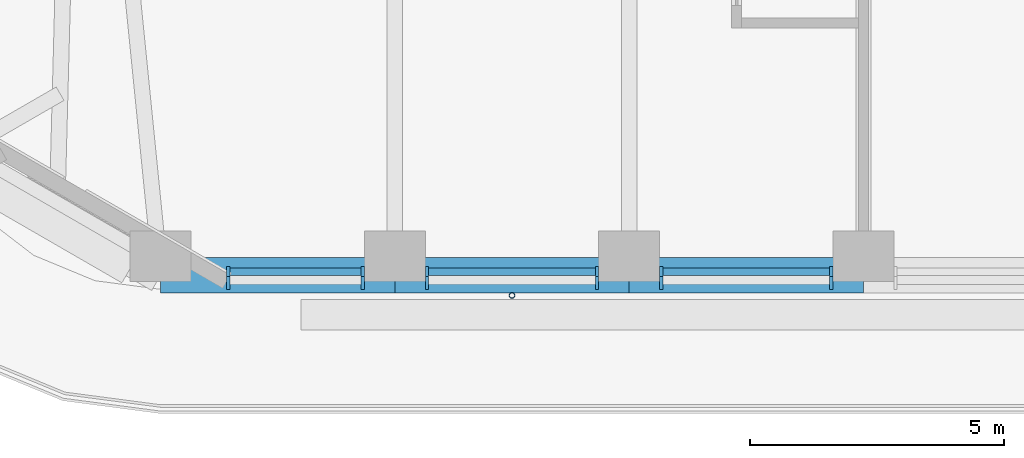
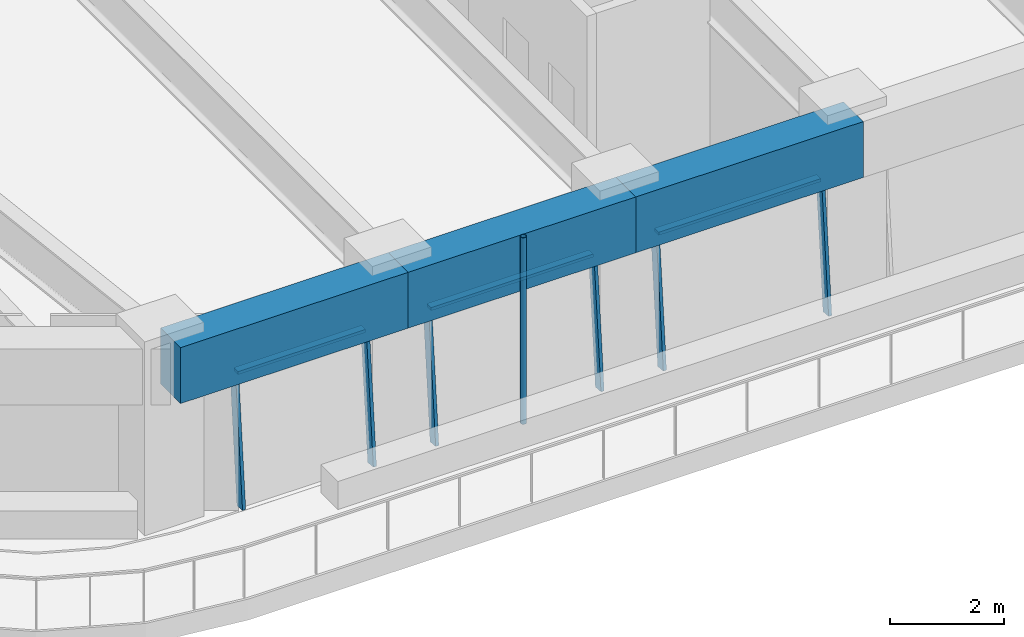
# One storey, part 2 of 20: 10 members, 3 beams, 3 elements without a shape of their own.
"""IFC4 building model written with IfcOpenShell, lengths in metres."""

import ifcopenshell
import ifcopenshell.guid

model = None  # the IFC model being written
_history = None  # IfcOwnerHistory: only IFC2X3 demands one
_inside = {}  # id of a spatial element -> (the spatial element, [elements in it])
_under = {}  # id of a project, library or spatial element -> (it, [spatial elements below it])
_declared = {}  # id of a project -> (the project, [libraries it declares])
_typed = {}  # id of a type object -> (the type object, [elements of that type])
_made_of = {}  # id of a material, layer set ... -> (it, [elements and type objects made of it])


def new_model(schema):
    """Start an empty IFC model of exactly this schema.

    Asked for "IFC4X3", IfcOpenShell would pick the latest addendum, in which some entities
    have other attributes; the version numbers below select the first issue.
    IFC2X3 requires an IfcOwnerHistory on every rooted entity: one is made here for all.
    """
    global model, _history
    if schema == "IFC4X3":
        model = ifcopenshell.file(schema_version=(4, 3, 0, 0))
    else:
        model = ifcopenshell.file(schema=schema)
    _inside.clear()
    _under.clear()
    _declared.clear()
    _typed.clear()
    _made_of.clear()
    _history = None
    if model.schema == "IFC2X3":
        org = make("IfcOrganization", Name="unknown")
        user = make(
            "IfcPersonAndOrganization",
            ThePerson=make("IfcPerson", FamilyName="unknown"),
            TheOrganization=org,
        )
        app = make(
            "IfcApplication",
            ApplicationDeveloper=org,
            Version="unknown",
            ApplicationFullName="unknown",
            ApplicationIdentifier="unknown",
        )
        _history = make(
            "IfcOwnerHistory",
            OwningUser=user,
            OwningApplication=app,
            ChangeAction="ADDED",
            CreationDate=0,
        )
    return model


def make(cls, **values):
    """One entity of the class cls with the attributes given. An attribute that is None is left unset."""
    return model.create_entity(
        cls, **{name: value for name, value in values.items() if value is not None}
    )


def rooted(cls, **values):
    """An entity with a GlobalId (a new one), such as an element, a storey or a relation."""
    return make(cls, GlobalId=ifcopenshell.guid.new(), OwnerHistory=_history, **values)


def si_unit(unit_type, name, prefix=None):
    """IfcSIUnit, for example si_unit("LENGTHUNIT", "METRE", prefix="MILLI")."""
    return make("IfcSIUnit", UnitType=unit_type, Prefix=prefix, Name=name)


def assignment(units):
    """IfcUnitAssignment: the units of a project."""
    return None if units is None else make("IfcUnitAssignment", Units=units)


def point(xyz):
    """IfcCartesianPoint."""
    return None if xyz is None else make("IfcCartesianPoint", Coordinates=xyz)


def direction(xyz):
    """IfcDirection."""
    return None if xyz is None else make("IfcDirection", DirectionRatios=xyz)


def frame(location, z_axis=None, x_axis=None):
    """IfcAxis2Placement3D, a coordinate frame: its origin and axes. An axis left out is left unset."""
    return make(
        "IfcAxis2Placement3D",
        Location=point(location),
        Axis=direction(z_axis),
        RefDirection=direction(x_axis),
    )


def frame_2d(location, x_axis=None):
    """IfcAxis2Placement2D, a coordinate frame in the plane: its origin and x axis."""
    return make(
        "IfcAxis2Placement2D", Location=point(location), RefDirection=direction(x_axis)
    )


def origin():
    """The frame at (0, 0, 0) with its axes left unset."""
    return frame((0.0, 0.0, 0.0))


def origin_2d():
    """The frame at (0, 0) in the plane with its x axis left unset."""
    return frame_2d((0.0, 0.0))


def place(relative_to, where):
    """IfcLocalPlacement: puts the frame where relative to a parent placement (None: the world)."""
    return make(
        "IfcLocalPlacement", PlacementRelTo=relative_to, RelativePlacement=where
    )


def context(
    kind, dimensions, precision=None, world=None, true_north=None, identifier=None
):
    """IfcGeometricRepresentationContext, for example the 3D "Model" context."""
    return make(
        "IfcGeometricRepresentationContext",
        ContextIdentifier=identifier,
        ContextType=kind,
        CoordinateSpaceDimension=dimensions,
        Precision=precision,
        WorldCoordinateSystem=world,
        TrueNorth=true_north,
    )


def subcontext(parent, identifier, kind, view, scale=None):
    """IfcGeometricRepresentationSubContext, for example "Body" below "Model"."""
    return make(
        "IfcGeometricRepresentationSubContext",
        ContextIdentifier=identifier,
        ContextType=kind,
        ParentContext=parent,
        TargetScale=scale,
        TargetView=view,
    )


def project(units=None, contexts=None):
    """IfcProject with its units and contexts."""
    return rooted(
        "IfcProject",
        Name="project",
        RepresentationContexts=contexts,
        UnitsInContext=assignment(units),
    )


def spatial(cls, under=None, at=None, **own):
    """A site, building, storey or space (cls), placed at a placement, below another one or the project."""
    s = rooted(cls, ObjectPlacement=at, **own)
    if under is not None:
        _under.setdefault(under.id(), (under, []))[1].append(s)
    return s


def profile(cls, at=None, kind="AREA", **sizes):
    """A parametric profile (cls). Its sizes go by their IFC names, for example OverallWidth=200.0."""
    return make(cls, ProfileType=kind, Position=at, **sizes)


def rectangle(**sizes):
    """IfcRectangleProfileDef."""
    return profile("IfcRectangleProfileDef", **sizes)


def hollow_circle(**sizes):
    """IfcCircleHollowProfileDef."""
    return profile("IfcCircleHollowProfileDef", **sizes)


def extrude(swept, where, along, depth):
    """IfcExtrudedAreaSolid: the profile swept, set in the frame where, extruded along a direction by depth."""
    return make(
        "IfcExtrudedAreaSolid",
        SweptArea=swept,
        Position=where,
        ExtrudedDirection=direction(along),
        Depth=depth,
    )


def shape(context_of_items, identifier, shape_type, items):
    """IfcShapeRepresentation: the items that make up one representation, for example the "Body"."""
    return make(
        "IfcShapeRepresentation",
        ContextOfItems=context_of_items,
        RepresentationIdentifier=identifier,
        RepresentationType=shape_type,
        Items=items,
    )


def material(Name=None, Category=None):
    """IfcMaterial."""
    return make("IfcMaterial", Name=Name, Category=Category)


def material_profile(
    of_material, cross_section, Name=None, Category=None, Priority=None
):
    """IfcMaterialProfile: a cross section and its material."""
    return make(
        "IfcMaterialProfile",
        Name=Name,
        Material=of_material,
        Profile=cross_section,
        Priority=Priority,
        Category=Category,
    )


def profile_set(profiles, Name=None, composite=None):
    """IfcMaterialProfileSet."""
    return make(
        "IfcMaterialProfileSet",
        Name=Name,
        MaterialProfiles=profiles,
        CompositeProfile=composite,
    )


def made_of(thing, what):
    """Note that an element or type object is made of a material, layer set ...; save() writes the relation."""
    if what is not None:
        _made_of.setdefault(what.id(), (what, []))[1].append(thing)
    return thing


def type_object(cls, material=None, **own):
    """A type object (cls), such as IfcWallType, which elements share."""
    return made_of(rooted(cls, **own), material)


def element(
    cls,
    number,
    at=None,
    inside=None,
    cuts=None,
    type_object=None,
    material=None,
    context=None,
    identifier="Body",
    shape_type=None,
    held_by="IfcProductDefinitionShape",
    body=None,
    shapes=None,
    **own,
):
    """One element of the class cls, such as IfcWall. Its Tag is "e" and its number.

    at: its placement. inside: the storey or other place that contains it. cuts: it is an
    opening in that element (IfcRelVoidsElement). A single representation is given by context,
    identifier, shape_type and body (its items); several are given by shapes. held_by: the class
    of the entity that holds the representations. save() writes the other relations.
    """
    e = rooted(cls, Tag="e%d" % number, ObjectPlacement=at, **own)
    if body is not None:
        shapes = [shape(context, identifier, shape_type, body)]
    if shapes is not None:
        e.Representation = make(held_by, Representations=shapes)
    if inside is not None:
        _inside.setdefault(inside.id(), (inside, []))[1].append(e)
    if cuts is not None:
        rooted(
            "IfcRelVoidsElement", RelatingBuildingElement=cuts, RelatedOpeningElement=e
        )
    if type_object is not None:
        _typed.setdefault(type_object.id(), (type_object, []))[1].append(e)
    return made_of(e, material)


def aggregate(whole, parts):
    """IfcRelAggregates: a whole, such as a stair, and the parts it consists of."""
    return rooted("IfcRelAggregates", RelatingObject=whole, RelatedObjects=parts)


def save(model, path):
    """Write the relations noted so far, then the file.

    IfcRelAggregates (storeys below a building ...), IfcRelContainedInSpatialStructure (elements
    in a storey), IfcRelDefinesByType, IfcRelAssociatesMaterial and IfcRelDeclares: one each for
    every whole, place, type object, material and project.
    """
    for whole, parts in _under.values():
        aggregate(whole, parts)
    for where, things in _inside.values():
        rooted(
            "IfcRelContainedInSpatialStructure",
            RelatedElements=things,
            RelatingStructure=where,
        )
    for kind, things in _typed.values():
        rooted("IfcRelDefinesByType", RelatedObjects=things, RelatingType=kind)
    for what, things in _made_of.values():
        rooted("IfcRelAssociatesMaterial", RelatedObjects=things, RelatingMaterial=what)
    for by, libraries in _declared.values():
        rooted("IfcRelDeclares", RelatingContext=by, RelatedDefinitions=libraries)
    model.write(path)


model = new_model("IFC4")

# Units and contexts
model_context = context("Model", 3, precision=1e-05, world=origin(), true_north=direction((0.0, 1.0)))
body_context = subcontext(model_context, "Body", "Model", "MODEL_VIEW")
ifc_project = project(units=[si_unit("LENGTHUNIT", "METRE"), si_unit("AREAUNIT", "SQUARE_METRE"), si_unit("VOLUMEUNIT", "CUBIC_METRE"), si_unit("PLANEANGLEUNIT", "RADIAN"), si_unit("MASSUNIT", "GRAM", prefix="KILO")], contexts=[model_context])

# Site, building, storey
site_placement = place(None, origin())
site = spatial("IfcSite", under=ifc_project, at=site_placement, CompositionType="ELEMENT")
building_placement = place(site_placement, origin())
building = spatial("IfcBuilding", under=site, at=building_placement, Name="Tarfa Lantern Tower", CompositionType="ELEMENT")
storey_placement = place(building_placement, frame((0.0, 0.0, 270.10009765625)))
storey = spatial("IfcBuildingStorey", under=building, at=storey_placement, Name="L61", CompositionType="ELEMENT", Elevation=270.10009765625)

# Curtain wall, members
ifc_material_1 = material(Name="Aluminium framed curtain wall", Category="aluminium")
curtain_wall_type = type_object("IfcCurtainWallType", Name="CW3 CANTED GLAZING HIGH ZONE 2800", PredefinedType="USERDEFINED", material=ifc_material_1)
curtain_wall_1_placement = place(storey_placement, origin())
curtain_wall_1 = element("IfcCurtainWall", 1, at=curtain_wall_1_placement, inside=storey, type_object=curtain_wall_type, Name="CW3 S L61", ObjectType="CURTAIN WALL", PredefinedType="USERDEFINED")
ifc_material_2 = material(Name="Aluminium mullion", Category="aluminium")
ifc_material_profile_1 = material_profile(ifc_material_2, rectangle(XDim=0.06494140625, YDim=0.199951171875, at=origin_2d()), Name="AL MULLION 65x200")
ifc_profile_set_1 = profile_set([ifc_material_profile_1], Name="Aluminium mullion")
member_type_1 = type_object("IfcMemberType", Name="CWM1 MULLION 65x200", PredefinedType="MULLION", material=ifc_profile_set_1)
member_1_placement = place(storey_placement, frame((-12.52392578125, -28.89990234375, 0.0), z_axis=(0.0, 0.088938092736, 0.996037155763), x_axis=(-1.0, 0.0, 0.0)))
member_1 = element("IfcMember", 2, at=member_1_placement, type_object=member_type_1, Name="CW3 mullion 1", PredefinedType="MULLION", context=body_context, shape_type="SweptSolid", body=[
    extrude(rectangle(XDim=0.06494140625, YDim=0.199951171875, at=origin_2d()), origin(), (0.0, 0.0, 1.0), 2.81103515625),
])
member_2_placement = place(storey_placement, frame((-9.8701171875, -28.89990234375, 0.0), z_axis=(0.0, 0.088938092736, 0.996037155763), x_axis=(-1.0, 0.0, 0.0)))
member_2 = element("IfcMember", 3, at=member_2_placement, type_object=member_type_1, Name="CW3 mullion 2", PredefinedType="MULLION", context=body_context, shape_type="SweptSolid", body=[
    extrude(rectangle(XDim=0.06494140625, YDim=0.199951171875, at=origin_2d()), origin(), (0.0, 0.0, 1.0), 2.81103515625),
])

curtain_wall_2_placement = place(storey_placement, origin())
curtain_wall_2 = element("IfcCurtainWall", 4, at=curtain_wall_2_placement, inside=storey, type_object=curtain_wall_type, Name="CW3 S L61", ObjectType="CURTAIN WALL", PredefinedType="USERDEFINED")
member_3_placement = place(storey_placement, frame((-8.605224609375, -28.89990234375, 0.0), z_axis=(0.0, 0.088938092736, 0.996037155763), x_axis=(-1.0, 0.0, 0.0)))
member_3 = element("IfcMember", 5, at=member_3_placement, type_object=member_type_1, Name="CW3 mullion 1", PredefinedType="MULLION", context=body_context, shape_type="SweptSolid", body=[
    extrude(rectangle(XDim=0.06494140625, YDim=0.199951171875, at=origin_2d()), origin(), (0.0, 0.0, 1.0), 2.81103515625),
])
member_4_placement = place(storey_placement, frame((-5.251220703125, -28.89990234375, 0.0), z_axis=(0.0, 0.088938092736, 0.996037155763), x_axis=(-1.0, 0.0, 0.0)))
member_4 = element("IfcMember", 6, at=member_4_placement, type_object=member_type_1, Name="CW3 mullion 2", PredefinedType="MULLION", context=body_context, shape_type="SweptSolid", body=[
    extrude(rectangle(XDim=0.06494140625, YDim=0.199951171875, at=origin_2d()), origin(), (0.0, 0.0, 1.0), 2.81103515625),
])

curtain_wall_3_placement = place(storey_placement, origin())
curtain_wall_3 = element("IfcCurtainWall", 7, at=curtain_wall_3_placement, inside=storey, type_object=curtain_wall_type, Name="CW3 S L61", ObjectType="CURTAIN WALL", PredefinedType="USERDEFINED")
member_5_placement = place(storey_placement, frame((-3.986328125, -28.89990234375, 0.0), z_axis=(0.0, 0.088938092736, 0.996037155763), x_axis=(-1.0, 0.0, 0.0)))
member_5 = element("IfcMember", 8, at=member_5_placement, type_object=member_type_1, Name="CW3 mullion 1", PredefinedType="MULLION", context=body_context, shape_type="SweptSolid", body=[
    extrude(rectangle(XDim=0.06494140625, YDim=0.199951171875, at=origin_2d()), origin(), (0.0, 0.0, 1.0), 2.81103515625),
])
member_6_placement = place(storey_placement, frame((-0.632568359375, -28.89990234375, 0.0), z_axis=(0.0, 0.088938092736, 0.996037155763), x_axis=(-1.0, 0.0, 0.0)))
member_6 = element("IfcMember", 9, at=member_6_placement, type_object=member_type_1, Name="CW3 mullion 2", PredefinedType="MULLION", context=body_context, shape_type="SweptSolid", body=[
    extrude(rectangle(XDim=0.06494140625, YDim=0.199951171875, at=origin_2d()), origin(), (0.0, 0.0, 1.0), 2.81103515625),
])

# Member
ifc_material_3 = material(Name="Aluminium transom", Category="aluminium")
ifc_material_profile_2 = material_profile(ifc_material_3, rectangle(XDim=0.14990234375, YDim=0.06494140625, at=origin_2d()), Name="AL TRANSOM 150x65")
ifc_profile_set_2 = profile_set([ifc_material_profile_2], Name="Aluminium transom")
member_type_2 = type_object("IfcMemberType", Name="CWT1 TRANSOM 150x65", PredefinedType="USERDEFINED", material=ifc_profile_set_2)
member_7_placement = place(storey_placement, frame((-12.491455078125, -28.65283203125, 2.767333984375), z_axis=(1.0, 0.0, 0.0), x_axis=(0.0, 1.0, 0.0)))
member_7 = element("IfcMember", 10, at=member_7_placement, type_object=member_type_2, Name="CW3 transom 1.2", ObjectType="TRANSOM", PredefinedType="USERDEFINED", context=body_context, shape_type="SweptSolid", body=[
    extrude(rectangle(XDim=0.14990234375, YDim=0.06494140625, at=origin_2d()), origin(), (0.0, 0.0, 1.0), 2.5888671875),
])

aggregate(curtain_wall_1, [member_1, member_2, member_7])

member_8_placement = place(storey_placement, frame((-8.572509765625, -28.65283203125, 2.767333984375), z_axis=(1.0, 0.0, 0.0), x_axis=(0.0, 1.0, 0.0)))
member_8 = element("IfcMember", 11, at=member_8_placement, type_object=member_type_2, Name="CW3 transom 1.2", ObjectType="TRANSOM", PredefinedType="USERDEFINED", context=body_context, shape_type="SweptSolid", body=[
    extrude(rectangle(XDim=0.14990234375, YDim=0.06494140625, at=origin_2d()), origin(), (0.0, 0.0, 1.0), 3.288818359375),
])

aggregate(curtain_wall_2, [member_3, member_4, member_8])

member_9_placement = place(storey_placement, frame((-3.953857421875, -28.65283203125, 2.767333984375), z_axis=(1.0, 0.0, 0.0), x_axis=(0.0, 1.0, 0.0)))
member_9 = element("IfcMember", 12, at=member_9_placement, type_object=member_type_2, Name="CW3 transom 1.2", ObjectType="TRANSOM", PredefinedType="USERDEFINED", context=body_context, shape_type="SweptSolid", body=[
    extrude(rectangle(XDim=0.14990234375, YDim=0.06494140625, at=origin_2d()), origin(), (0.0, 0.0, 1.0), 3.288818359375),
])

aggregate(curtain_wall_3, [member_5, member_6, member_9])

# Beams
ifc_material_4 = material(Name="Concrete C80/95", Category="concrete")
ifc_material_profile_3 = material_profile(ifc_material_4, rectangle(XDim=0.699951171875, YDim=1.199951171875, at=origin_2d()), Name="RC 700x1200")
ifc_profile_set_3 = profile_set([ifc_material_profile_3], Name="Concrete C80/95")
beam_type = type_object("IfcBeamType", Name="EB3 RC 700x1200", PredefinedType="SPANDREL", material=ifc_profile_set_3)
beam_1_placement = place(storey_placement, frame((-13.8564453125, -28.719970703125, 3.39990234375), z_axis=(1.0, 0.0, 0.0), x_axis=(0.0, 1.0, 0.0)))
element("IfcBeam", 13, at=beam_1_placement, inside=storey, type_object=beam_type, Name="Edge beam S0", PredefinedType="SPANDREL", context=body_context, shape_type="SweptSolid", body=[
    extrude(rectangle(XDim=0.699951171875, YDim=1.199951171875, at=origin_2d()), origin(), (0.0, 0.0, 1.0), 4.618896484375),
])
beam_2_placement = place(storey_placement, frame((-9.237548828125, -28.719970703125, 3.39990234375), z_axis=(1.0, 0.0, 0.0), x_axis=(0.0, 1.0, 0.0)))
element("IfcBeam", 14, at=beam_2_placement, inside=storey, type_object=beam_type, Name="Edge beam S1", PredefinedType="SPANDREL", context=body_context, shape_type="SweptSolid", body=[
    extrude(rectangle(XDim=0.699951171875, YDim=1.199951171875, at=origin_2d()), origin(), (0.0, 0.0, 1.0), 4.61865234375),
])
beam_3_placement = place(storey_placement, frame((-4.618896484375, -28.719970703125, 3.39990234375), z_axis=(1.0, 0.0, 0.0), x_axis=(0.0, 1.0, 0.0)))
element("IfcBeam", 15, at=beam_3_placement, inside=storey, type_object=beam_type, Name="Edge beam S2", PredefinedType="SPANDREL", context=body_context, shape_type="SweptSolid", body=[
    extrude(rectangle(XDim=0.699951171875, YDim=1.199951171875, at=origin_2d()), origin(), (0.0, 0.0, 1.0), 4.618896484375),
])

# Member
ifc_material_5 = material(Name="Steel S355", Category="steel")
ifc_material_profile_4 = material_profile(ifc_material_5, hollow_circle(Radius=0.05712890625, WallThickness=0.00634765625, at=origin_2d()), Name="CHS114.3x6.3")
ifc_profile_set_4 = profile_set([ifc_material_profile_4], Name="Steel S355")
member_type_3 = type_object("IfcMemberType", Name="TR1 GREEN WALL TRELLIS CHS114.3x6.3", PredefinedType="USERDEFINED", material=ifc_profile_set_4)
member_10_placement = place(storey_placement, frame((-6.92822265625, -29.1201171875, 0.0), z_axis=(0.0, 0.0, 1.0), x_axis=(1.0, 0.0, 0.0)))
element("IfcMember", 16, at=member_10_placement, inside=storey, type_object=member_type_3, Name="Trellis post S 1", ObjectType="TRELLIS", PredefinedType="USERDEFINED", context=body_context, shape_type="SweptSolid", body=[
    extrude(hollow_circle(Radius=0.05712890625, WallThickness=0.00634765625, at=origin_2d()), origin(), (0.0, 0.0, 1.0), 4.0),
])

save(model, "model.ifc")
